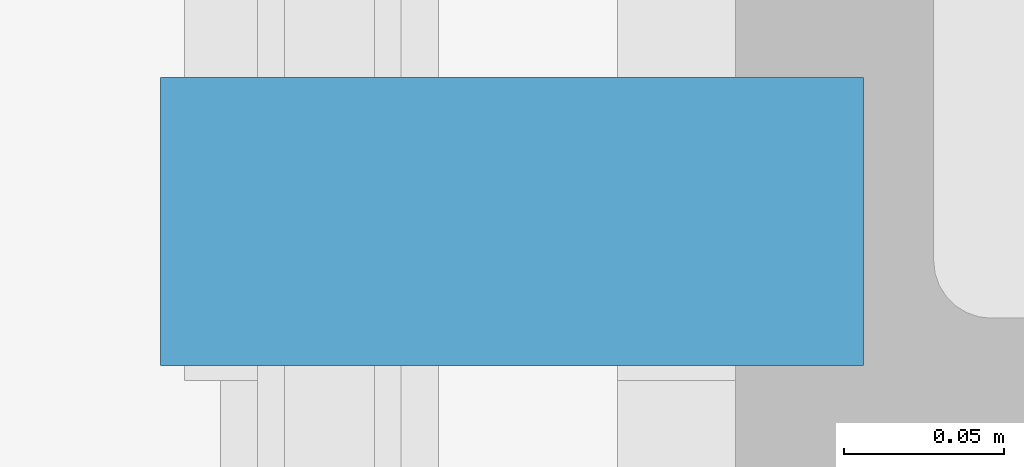
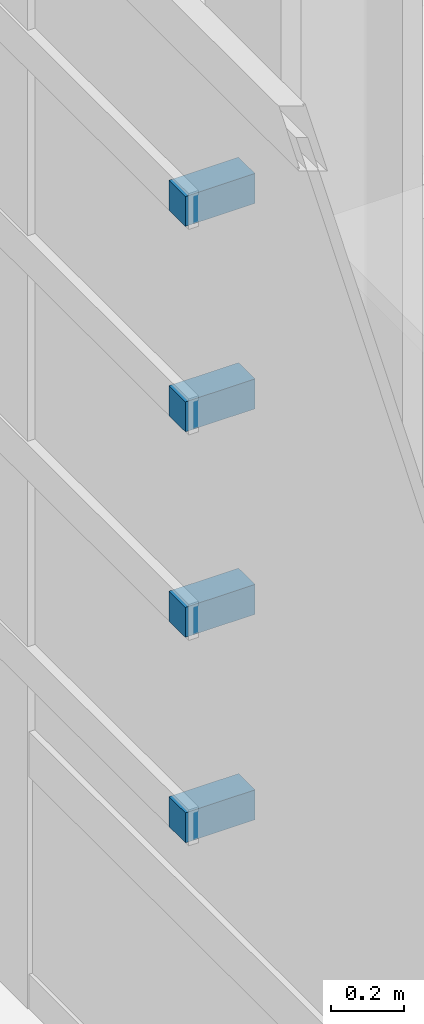
# One storey, part 31 of 36: 4 discrete accessories.
"""IFC4 building model written with IfcOpenShell, lengths in metres."""

from ifc_helpers import new_model, si_unit, direction, frame, origin, origin_2d, place, context, subcontext, project, spatial, rectangle, extrude, material, type_object, element, save


model = new_model("IFC4")

# Units and contexts
model_context = context("Model", 3, precision=1e-05, world=origin(), true_north=direction((0.0, 1.0)))
body_context = subcontext(model_context, "Body", "Model", "MODEL_VIEW")
ifc_project = project(units=[si_unit("LENGTHUNIT", "METRE"), si_unit("AREAUNIT", "SQUARE_METRE"), si_unit("VOLUMEUNIT", "CUBIC_METRE"), si_unit("PLANEANGLEUNIT", "RADIAN"), si_unit("MASSUNIT", "GRAM", prefix="KILO")], contexts=[model_context])

# Site, building, storey
site_placement = place(None, origin())
site = spatial("IfcSite", under=ifc_project, at=site_placement, CompositionType="ELEMENT")
building_placement = place(site_placement, origin())
building = spatial("IfcBuilding", under=site, at=building_placement, Name="Punatoya Terracotta Tower", CompositionType="ELEMENT")
storey_placement = place(building_placement, frame((0.0, 0.0, 48.449951171875)))
storey = spatial("IfcBuildingStorey", under=building, at=storey_placement, Name="L10", CompositionType="ELEMENT", Elevation=48.449951171875)

# Discrete accessories
ifc_material = material(Name="Steel S355", Category="steel")
discrete_accessory_type = type_object("IfcDiscreteAccessoryType", Name="ACC-BRK-220", PredefinedType="BRACKET", material=ifc_material)
for number, where, z_axis, x_axis, name in (
    (1, (-24.79296875, -3.35009765625, 1.10009765625), (0.0, 0.0, 1.0), (0.0, 1.0, 0.0), "L10 Baguette Louvre Column Bracket BAG-L10-W-01"),
    (2, (-24.79296875, -3.35009765625, 1.78662109375), (0.0, 0.0, 1.0), (0.0, 1.0, 0.0), "L10 Baguette Louvre Column Bracket BAG-L10-W-02"),
    (3, (-24.79296875, -3.35009765625, 2.473388671875), (0.0, 0.0, 1.0), (0.0, 1.0, 0.0), "L10 Baguette Louvre Column Bracket BAG-L10-W-03"),
    (4, (-24.79296875, -3.35009765625, 3.159912109375), (0.0, 0.0, 1.0), (0.0, 1.0, 0.0), "L10 Baguette Louvre Column Bracket BAG-L10-W-04"),
):
    element("IfcDiscreteAccessory", number, at=place(storey_placement, frame(where, z_axis=z_axis, x_axis=x_axis)), inside=storey, type_object=discrete_accessory_type, Name=name, PredefinedType="BRACKET", context=body_context, shape_type="SweptSolid", body=[
        extrude(rectangle(XDim=0.090087890625, YDim=0.219970703125, at=origin_2d()), origin(), (0.0, 0.0, 1.0), 0.10009765625),
    ])

save(model, "model.ifc")
